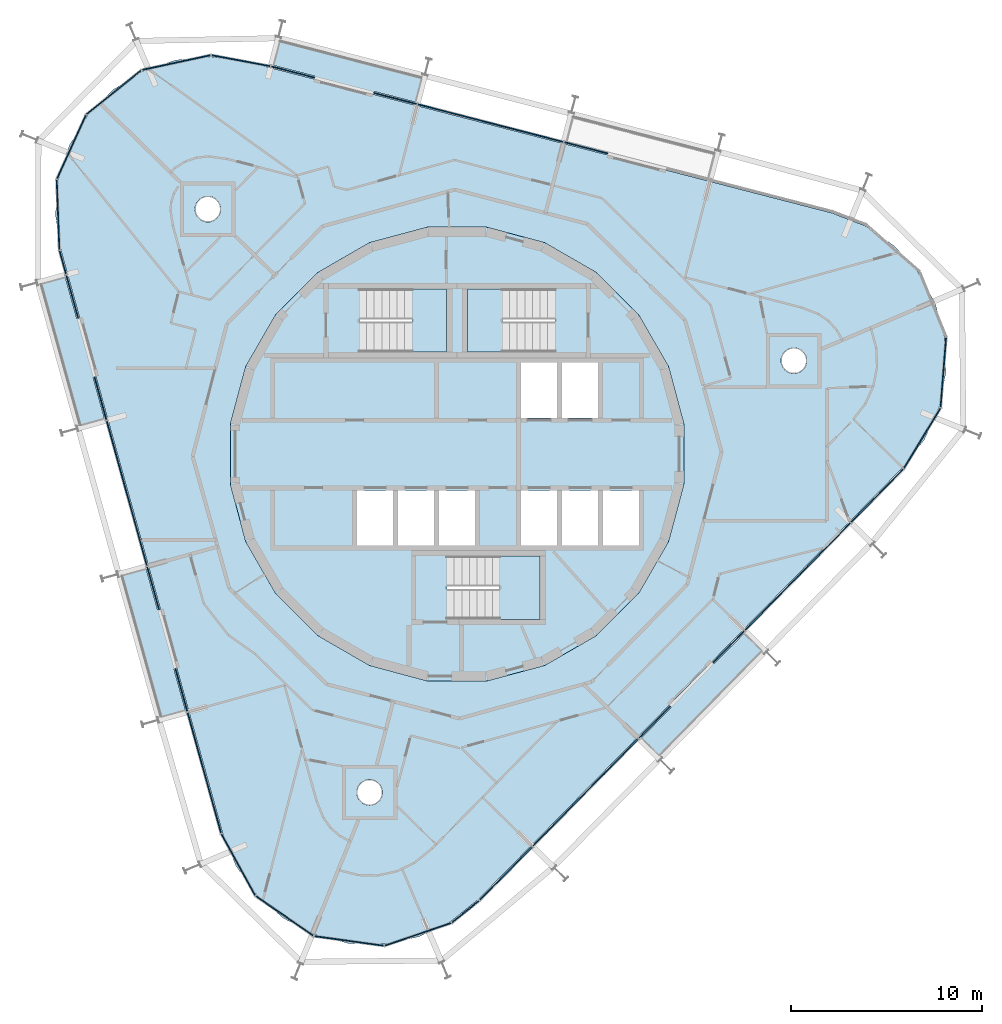
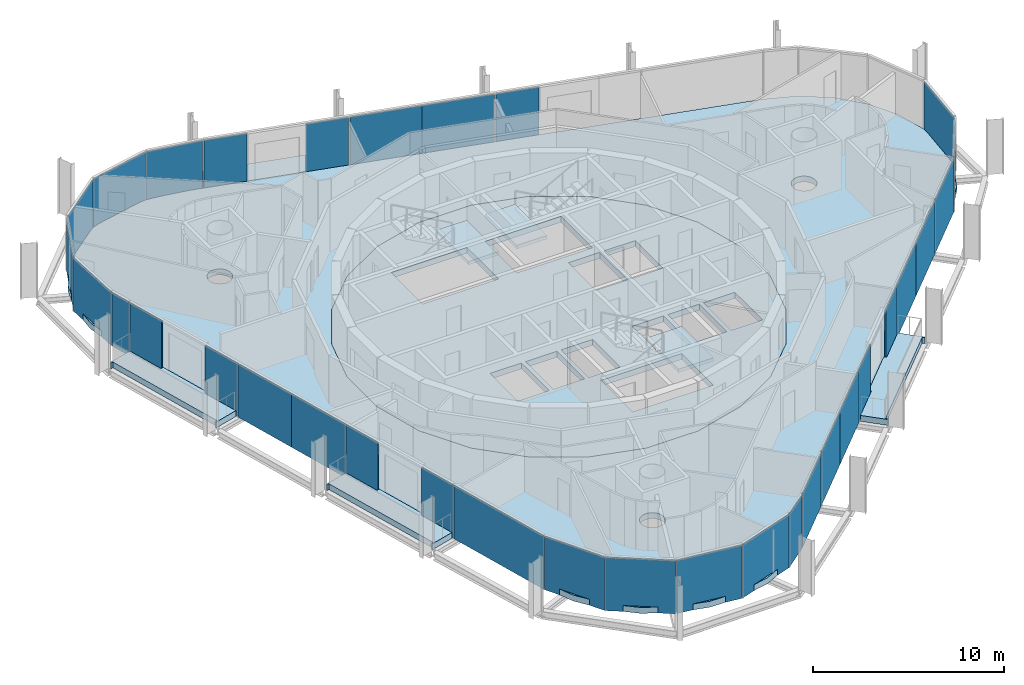
# One storey, part 8 of 16: 33 plates, 9 slabs, 9 elements without a shape of their own.
"""IFC4 building model written with IfcOpenShell, lengths in metres."""

from ifc_helpers import new_model, si_unit, direction, frame, origin, origin_2d, place, context, subcontext, project, spatial, polyline, rectangle, outline, extrude, material, layer, layer_set, type_object, element, aggregate, save


model = new_model("IFC4")

# Units and contexts
model_context = context("Model", 3, precision=1e-05, world=origin(), true_north=direction((0.0, 1.0)))
body_context = subcontext(model_context, "Body", "Model", "MODEL_VIEW")
ifc_project = project(units=[si_unit("LENGTHUNIT", "METRE"), si_unit("AREAUNIT", "SQUARE_METRE"), si_unit("VOLUMEUNIT", "CUBIC_METRE"), si_unit("PLANEANGLEUNIT", "RADIAN"), si_unit("MASSUNIT", "GRAM", prefix="KILO")], contexts=[model_context])

# Site, building, storey
site_placement = place(None, origin())
site = spatial("IfcSite", under=ifc_project, at=site_placement, CompositionType="ELEMENT")
building_placement = place(site_placement, origin())
building = spatial("IfcBuilding", under=site, at=building_placement, Name="Spindle Arch Residences", CompositionType="ELEMENT")
storey_placement = place(building_placement, frame((0.0, 0.0, 301.699951171875)))
storey = spatial("IfcBuildingStorey", under=building, at=storey_placement, Name="L77", CompositionType="ELEMENT", Elevation=301.699951171875)

# Slabs
ifc_material_1 = material(Name="Concrete C40/50", Category="concrete")
ifc_layer_1 = layer(ifc_material_1, 0.3798828125)
ifc_layer_set_1 = layer_set([ifc_layer_1], Name="Balcony slab 380")
slab_type_1 = type_object("IfcSlabType", Name="Balcony slab 380", PredefinedType="FLOOR", material=ifc_layer_set_1)
slab_1_placement = place(storey_placement, frame((0.0, 0.0, -0.3798828125)))
element("IfcSlab", 1, at=slab_1_placement, inside=storey, type_object=slab_type_1, Name="Balcony L77 bay 8", PredefinedType="FLOOR", context=body_context, shape_type="SweptSolid", body=[
    extrude(outline(polyline([(-1.763671875, 19.8896484375), (-1.83642578125, 19.908447265625), (-1.8740234375, 19.763427734375), (-9.265869140625, 21.675048828125), (-9.228271484375, 21.8203125), (-9.30078125, 21.839111328125), (-9.673828125, 20.396484375), (-7.454345703125, 19.822509765625), (-7.494384765625, 19.66748046875), (-4.396484375, 18.8662109375), (-4.3564453125, 19.021240234375), (-2.13671875, 18.447265625), (-1.763671875, 19.8896484375)])), origin(), (0.0, 0.0, 1.0), 0.3798828125),
])
slab_2_placement = place(storey_placement, frame((0.0, 0.0, -0.3798828125)))
element("IfcSlab", 2, at=slab_2_placement, inside=storey, type_object=slab_type_1, Name="Balcony L77 bay 12", PredefinedType="FLOOR", context=body_context, shape_type="SweptSolid", body=[
    extrude(outline(polyline([(-21.998046875, 8.918212890625), (-21.97802734375, 8.845947265625), (-21.83349609375, 8.88623046875), (-19.79296875, 1.52880859375), (-19.9375, 1.488525390625), (-19.91748046875, 1.416259765625), (-18.481689453125, 1.814453125), (-19.094482421875, 4.023681640625), (-18.940185546875, 4.06640625), (-19.79541015625, 7.150146484375), (-19.949462890625, 7.107421875), (-20.562255859375, 9.31640625), (-21.998046875, 8.918212890625)])), origin(), (0.0, 0.0, 1.0), 0.3798828125),
])
slab_3_placement = place(storey_placement, frame((0.0, 0.0, -0.3798828125)))
element("IfcSlab", 3, at=slab_3_placement, inside=storey, type_object=slab_type_1, Name="Balcony L77 bay 14", PredefinedType="FLOOR", context=body_context, shape_type="SweptSolid", body=[
    extrude(outline(polyline([(-17.7568359375, -6.374755859375), (-17.73681640625, -6.447021484375), (-17.59228515625, -6.406982421875), (-15.552001953125, -13.76416015625), (-15.696533203125, -13.804443359375), (-15.676513671875, -13.876708984375), (-14.240478515625, -13.478515625), (-14.853271484375, -11.269287109375), (-14.698974609375, -11.2265625), (-15.55419921875, -8.142822265625), (-15.70849609375, -8.185546875), (-16.321044921875, -5.9765625), (-17.7568359375, -6.374755859375)])), origin(), (0.0, 0.0, 1.0), 0.3798828125),
])
slab_4_placement = place(storey_placement, frame((0.0, 0.0, -0.3798828125)))
element("IfcSlab", 4, at=slab_4_placement, inside=storey, type_object=slab_type_1, Name="Balcony L77 bay 20", PredefinedType="FLOOR", context=body_context, shape_type="SweptSolid", body=[
    extrude(outline(polyline([(10.691162109375, -15.963623046875), (10.743896484375, -15.91015625), (10.63671875, -15.80517578125), (15.98828125, -10.359375), (16.09521484375, -10.464599609375), (16.14794921875, -10.410888671875), (15.085205078125, -9.36669921875), (13.478271484375, -11.001708984375), (13.364013671875, -10.8896484375), (11.121337890625, -13.172119140625), (11.2353515625, -13.2841796875), (9.62841796875, -14.91943359375), (10.691162109375, -15.963623046875)])), origin(), (0.0, 0.0, 1.0), 0.3798828125),
])
ifc_material_2 = material(Name="Concrete C50/60", Category="concrete")
ifc_layer_2 = layer(ifc_material_2, 0.3798828125)
ifc_layer_set_2 = layer_set([ifc_layer_2], Name="Core floor slab 380")
slab_type_2 = type_object("IfcSlabType", Name="Core floor slab 380", PredefinedType="FLOOR", material=ifc_layer_set_2)
slab_5_placement = place(storey_placement, frame((0.0, 0.0, -0.3798828125)))
element("IfcSlab", 5, at=slab_5_placement, inside=storey, type_object=slab_type_2, Name="Core floor L77", PredefinedType="FLOOR", context=body_context, shape_type="SweptSolid", body=[
    extrude(outline(polyline([(1.56640625, -11.897216796875), (4.59228515625, -11.086669921875), (7.30517578125, -9.520263671875), (9.520263671875, -7.30517578125), (11.086669921875, -4.59228515625), (11.897216796875, -1.56640625), (11.897216796875, 1.56640625), (11.086669921875, 4.59228515625), (9.520263671875, 7.30517578125), (7.30517578125, 9.520263671875), (4.59228515625, 11.086669921875), (1.56640625, 11.897216796875), (-1.56640625, 11.897216796875), (-4.59228515625, 11.086669921875), (-7.30517578125, 9.520263671875), (-9.520263671875, 7.30517578125), (-11.086669921875, 4.59228515625), (-11.897216796875, 1.56640625), (-11.897216796875, -1.56640625), (-11.086669921875, -4.59228515625), (-9.520263671875, -7.30517578125), (-7.30517578125, -9.520263671875), (-4.59228515625, -11.086669921875), (-1.56640625, -11.897216796875), (1.56640625, -11.897216796875)]), holes=[polyline([(3.35009765625, 1.89990234375), (5.25, 1.89990234375), (5.25, 4.800048828125), (3.35009765625, 4.800048828125), (3.35009765625, 1.89990234375)]), polyline([(5.5, 1.89990234375), (7.39990234375, 1.89990234375), (7.39990234375, 4.800048828125), (5.5, 4.800048828125), (5.5, 1.89990234375)]), polyline([(-5.25, -4.800048828125), (-3.35009765625, -4.800048828125), (-3.35009765625, -1.89990234375), (-5.25, -1.89990234375), (-5.25, -4.800048828125)]), polyline([(-3.10009765625, -4.800048828125), (-1.199951171875, -4.800048828125), (-1.199951171875, -1.89990234375), (-3.10009765625, -1.89990234375), (-3.10009765625, -4.800048828125)]), polyline([(-0.949951171875, -4.800048828125), (0.949951171875, -4.800048828125), (0.949951171875, -1.89990234375), (-0.949951171875, -1.89990234375), (-0.949951171875, -4.800048828125)]), polyline([(3.35009765625, -4.800048828125), (5.25, -4.800048828125), (5.25, -1.89990234375), (3.35009765625, -1.89990234375), (3.35009765625, -4.800048828125)]), polyline([(5.5, -4.800048828125), (7.39990234375, -4.800048828125), (7.39990234375, -1.89990234375), (5.5, -1.89990234375), (5.5, -4.800048828125)]), polyline([(7.64990234375, -4.800048828125), (9.550048828125, -4.800048828125), (9.550048828125, -1.89990234375), (7.64990234375, -1.89990234375), (7.64990234375, -4.800048828125)]), polyline([(5.1298828125, 8.669921875), (0.550048828125, 8.669921875), (0.550048828125, 5.35009765625), (5.1298828125, 5.35009765625), (5.1298828125, 8.669921875)]), polyline([(-5.1298828125, 5.35009765625), (-0.550048828125, 5.35009765625), (-0.550048828125, 8.669921875), (-5.1298828125, 8.669921875), (-5.1298828125, 5.35009765625)]), polyline([(-0.530029296875, -8.669921875), (4.35009765625, -8.669921875), (4.35009765625, -5.35009765625), (-0.530029296875, -5.35009765625), (-0.530029296875, -8.669921875)])]), origin(), (0.0, 0.0, 1.0), 0.3798828125),
])

# Stair, slab
ifc_material_3 = material(Name="Concrete C50/60", Category="concrete")
stair_type = type_object("IfcStairType", Name="Exit stair 16 risers", PredefinedType="HALF_TURN_STAIR", material=ifc_material_3)
stair_1_placement = place(storey_placement, origin())
stair_1 = element("IfcStair", 6, at=stair_1_placement, inside=storey, type_object=stair_type, Name="L77 Exit stair ST1", PredefinedType="HALF_TURN_STAIR")
ifc_material_4 = material(Name="Concrete C50/60", Category="concrete")
ifc_layer_3 = layer(ifc_material_4, 0.219970703125)
ifc_layer_set_3 = layer_set([ifc_layer_3], Name="Exit stair landing 220")
slab_type_3 = type_object("IfcSlabType", Name="Exit stair landing 220", PredefinedType="LANDING", material=ifc_layer_set_3)
slab_6_placement = place(storey_placement, frame((0.0, 0.0, 1.530029296875)))
slab_6 = element("IfcSlab", 7, at=slab_6_placement, type_object=slab_type_3, Name="ST1 landing 1", PredefinedType="LANDING", context=body_context, shape_type="SweptSolid", body=[
    extrude(outline(polyline([(2.3701171875, 8.669921875), (0.550048828125, 8.669921875), (0.550048828125, 5.35009765625), (2.3701171875, 5.35009765625), (2.3701171875, 8.669921875)])), origin(), (0.0, 0.0, 1.0), 0.219970703125),
])
aggregate(stair_1, [slab_6])

stair_2_placement = place(storey_placement, origin())
stair_2 = element("IfcStair", 8, at=stair_2_placement, inside=storey, type_object=stair_type, Name="L77 Exit stair ST2", PredefinedType="HALF_TURN_STAIR")
slab_7_placement = place(storey_placement, frame((0.0, 0.0, 1.530029296875)))
slab_7 = element("IfcSlab", 9, at=slab_7_placement, type_object=slab_type_3, Name="ST2 landing 1", PredefinedType="LANDING", context=body_context, shape_type="SweptSolid", body=[
    extrude(outline(polyline([(-2.3701171875, 5.35009765625), (-0.550048828125, 5.35009765625), (-0.550048828125, 8.669921875), (-2.3701171875, 8.669921875), (-2.3701171875, 5.35009765625)])), origin(), (0.0, 0.0, 1.0), 0.219970703125),
])
aggregate(stair_2, [slab_7])

stair_3_placement = place(storey_placement, origin())
stair_3 = element("IfcStair", 10, at=stair_3_placement, inside=storey, type_object=stair_type, Name="L77 Exit stair ST3", PredefinedType="HALF_TURN_STAIR")
slab_8_placement = place(storey_placement, frame((0.0, 0.0, 1.530029296875)))
slab_8 = element("IfcSlab", 11, at=slab_8_placement, type_object=slab_type_3, Name="ST3 landing 1", PredefinedType="LANDING", context=body_context, shape_type="SweptSolid", body=[
    extrude(outline(polyline([(2.22998046875, -8.669921875), (4.35009765625, -8.669921875), (4.35009765625, -5.35009765625), (2.22998046875, -5.35009765625), (2.22998046875, -8.669921875)])), origin(), (0.0, 0.0, 1.0), 0.219970703125),
])
aggregate(stair_3, [slab_8])

# Slab
ifc_material_5 = material(Name="Concrete C40/50", Category="concrete")
ifc_layer_4 = layer(ifc_material_5, 0.3798828125)
ifc_layer_set_4 = layer_set([ifc_layer_4], Name="Floor slab 380")
slab_type_4 = type_object("IfcSlabType", Name="Floor slab 380", PredefinedType="FLOOR", material=ifc_layer_set_4)
slab_9_placement = place(storey_placement, frame((0.0, 0.0, -0.3798828125)))
element("IfcSlab", 12, at=slab_9_placement, inside=storey, type_object=slab_type_4, Name="Floor slab L77", PredefinedType="FLOOR", context=body_context, shape_type="SweptSolid", body=[
    extrude(outline(polyline([(-0.330078125, -24.517333984375), (-2.006591796875, -25.317138671875), (-3.822509765625, -25.70849609375), (-5.6796875, -25.6708984375), (-7.477783203125, -25.205810546875), (-9.12060546875, -24.33837890625), (-10.518798828125, -23.11572265625), (-11.597412109375, -21.603515625), (-12.29833984375, -19.88330078125), (-20.782470703125, 10.709228515625), (-21.067626953125, 12.544677734375), (-20.921875, 14.396484375), (-20.35302734375, 16.164794921875), (-19.3916015625, 17.754150390625), (-18.08984375, 19.078857421875), (-16.517333984375, 20.06787109375), (-14.759521484375, 20.66748046875), (-12.910400390625, 20.845458984375), (-11.0703125, 20.59228515625), (19.665771484375, 12.6435546875), (21.397705078125, 11.972900390625), (22.9287109375, 10.920654296875), (24.175537109375, 9.5439453125), (25.0712890625, 7.916748046875), (25.567626953125, 6.126708984375), (25.637939453125, 4.2705078125), (25.2783203125, 2.4482421875), (24.5078125, 0.758056640625), (23.36865234375, -0.708984375), (12.24267578125, -12.03076171875), (1.11669921875, -23.352783203125), (-0.330078125, -24.517333984375)]), holes=[polyline([(7.30517578125, -9.520263671875), (9.520263671875, -7.30517578125), (11.086669921875, -4.59228515625), (11.897216796875, -1.56640625), (11.897216796875, 1.56640625), (11.086669921875, 4.59228515625), (9.520263671875, 7.30517578125), (7.30517578125, 9.520263671875), (4.59228515625, 11.086669921875), (1.56640625, 11.897216796875), (-1.56640625, 11.897216796875), (-4.59228515625, 11.086669921875), (-7.30517578125, 9.520263671875), (-9.520263671875, 7.30517578125), (-11.086669921875, 4.59228515625), (-11.897216796875, 1.56640625), (-11.897216796875, -1.56640625), (-11.086669921875, -4.59228515625), (-9.520263671875, -7.30517578125), (-7.30517578125, -9.520263671875), (-4.59228515625, -11.086669921875), (-1.56640625, -11.897216796875), (1.56640625, -11.897216796875), (4.59228515625, -11.086669921875), (7.30517578125, -9.520263671875)]), polyline([(-4.028076171875, -18.120361328125), (-3.9658203125, -18.003662109375), (-3.92724609375, -17.877197265625), (-3.914306640625, -17.745361328125), (-3.92724609375, -17.61376953125), (-3.9658203125, -17.487060546875), (-4.028076171875, -17.370361328125), (-4.112060546875, -17.26806640625), (-4.21435546875, -17.18408203125), (-4.3310546875, -17.121826171875), (-4.45751953125, -17.08349609375), (-4.58935546875, -17.0703125), (-4.720947265625, -17.08349609375), (-4.84765625, -17.121826171875), (-4.96435546875, -17.18408203125), (-5.066650390625, -17.26806640625), (-5.150390625, -17.370361328125), (-5.212890625, -17.487060546875), (-5.251220703125, -17.61376953125), (-5.264404296875, -17.745361328125), (-5.251220703125, -17.877197265625), (-5.212890625, -18.003662109375), (-5.150390625, -18.120361328125), (-5.066650390625, -18.22265625), (-4.96435546875, -18.306640625), (-4.84765625, -18.368896484375), (-4.720947265625, -18.407470703125), (-4.58935546875, -18.42041015625), (-4.45751953125, -18.407470703125), (-4.3310546875, -18.368896484375), (-4.21435546875, -18.306640625), (-4.112060546875, -18.22265625), (-4.028076171875, -18.120361328125)]), polyline([(-12.595947265625, 12.369873046875), (-12.51220703125, 12.47216796875), (-12.44970703125, 12.5888671875), (-12.411376953125, 12.71533203125), (-12.398193359375, 12.84716796875), (-12.411376953125, 12.978759765625), (-12.44970703125, 13.10546875), (-12.51220703125, 13.22216796875), (-12.595947265625, 13.324462890625), (-12.6982421875, 13.408203125), (-12.81494140625, 13.470703125), (-12.941650390625, 13.509033203125), (-13.0732421875, 13.522216796875), (-13.205078125, 13.509033203125), (-13.33154296875, 13.470703125), (-13.4482421875, 13.408203125), (-13.550537109375, 13.324462890625), (-13.634521484375, 13.22216796875), (-13.697021484375, 13.10546875), (-13.7353515625, 12.978759765625), (-13.748291015625, 12.84716796875), (-13.7353515625, 12.71533203125), (-13.697021484375, 12.5888671875), (-13.634521484375, 12.47216796875), (-13.550537109375, 12.369873046875), (-13.4482421875, 12.285888671875), (-13.33154296875, 12.223388671875), (-13.205078125, 12.18505859375), (-13.0732421875, 12.172119140625), (-12.941650390625, 12.18505859375), (-12.81494140625, 12.223388671875), (-12.6982421875, 12.285888671875), (-12.595947265625, 12.369873046875)]), polyline([(18.139892578125, 4.4208984375), (18.223876953125, 4.523193359375), (18.2861328125, 4.639892578125), (18.32470703125, 4.7666015625), (18.337646484375, 4.898193359375), (18.32470703125, 5.030029296875), (18.2861328125, 5.156494140625), (18.223876953125, 5.273193359375), (18.139892578125, 5.37548828125), (18.03759765625, 5.45947265625), (17.9208984375, 5.52197265625), (17.794189453125, 5.560302734375), (17.66259765625, 5.5732421875), (17.531005859375, 5.560302734375), (17.404296875, 5.52197265625), (17.28759765625, 5.45947265625), (17.185302734375, 5.37548828125), (17.101318359375, 5.273193359375), (17.0390625, 5.156494140625), (17.00048828125, 5.030029296875), (16.987548828125, 4.898193359375), (17.00048828125, 4.7666015625), (17.0390625, 4.639892578125), (17.101318359375, 4.523193359375), (17.185302734375, 4.4208984375), (17.28759765625, 4.337158203125), (17.404296875, 4.274658203125), (17.531005859375, 4.236328125), (17.66259765625, 4.223388671875), (17.794189453125, 4.236328125), (17.9208984375, 4.274658203125), (18.03759765625, 4.337158203125), (18.139892578125, 4.4208984375)])]), origin(), (0.0, 0.0, 1.0), 0.3798828125),
])

# Curtain wall, plates
ifc_material_6 = material(Name="Aluminium bronze unitised frame with tinted glass", Category="aluminium")
ifc_layer_5 = layer(ifc_material_6, 0.159912109375)
ifc_layer_set_5 = layer_set([ifc_layer_5], Name="CW-D corner wall on the fillet arcs")
curtain_wall_type_1 = type_object("IfcCurtainWallType", Name="CW-D corner wall on the fillet arcs", PredefinedType="NOTDEFINED", material=ifc_layer_set_5)
curtain_wall_1_placement = place(storey_placement, origin())
curtain_wall_1 = element("IfcCurtainWall", 13, at=curtain_wall_1_placement, inside=storey, type_object=curtain_wall_type_1, Name="CW-D L77 run 1", PredefinedType="NOTDEFINED")
ifc_material_7 = material(Name="Tinted double glazing over aluminium faced non-combustible spandrel zone (K0)", Category="aluminium")
ifc_layer_6 = layer(ifc_material_7, 0.06005859375)
ifc_layer_set_6 = layer_set([ifc_layer_6], Name="Unitised glass panel with E 60 spandrel zone")
plate_type = type_object("IfcPlateType", Name="Unitised glass panel with E 60 spandrel zone", PredefinedType="CURTAIN_PANEL", material=ifc_layer_set_6)
plate_1_placement = place(storey_placement, frame((22.033935546875, -2.18115234375, -0.3798828125), z_axis=(0.0, 0.0, 1.0), x_axis=(0.7009092643, 0.713250449154, 0.0)))
plate_1 = element("IfcPlate", 14, at=plate_1_placement, type_object=plate_type, Name="CW-D unit 00", PredefinedType="CURTAIN_PANEL", context=body_context, shape_type="SweptSolid", body=[
    extrude(rectangle(XDim=3.910888671875, YDim=0.06005859375, at=origin_2d()), origin(), (0.0, 0.0, 1.0), 3.3798828125),
])
plate_2_placement = place(storey_placement, frame((24.39013671875, 0.829345703125, -0.3798828125), z_axis=(0.0, 0.0, 1.0), x_axis=(0.517529288252, 0.855665492936, 0.0)))
plate_2 = element("IfcPlate", 15, at=plate_2_placement, type_object=plate_type, Name="CW-D unit 01", PredefinedType="CURTAIN_PANEL", context=body_context, shape_type="SweptSolid", body=[
    extrude(rectangle(XDim=3.666748046875, YDim=0.06005859375, at=origin_2d()), origin(), (0.0, 0.0, 1.0), 3.3798828125),
])
plate_3_placement = place(storey_placement, frame((25.50048828125, 4.281494140625, -0.3798828125), z_axis=(0.0, 0.0, 1.0), x_axis=(0.078459091935, 0.996917334032, 0.0)))
plate_3 = element("IfcPlate", 16, at=plate_3_placement, type_object=plate_type, Name="CW-D unit 02", PredefinedType="CURTAIN_PANEL", context=body_context, shape_type="SweptSolid", body=[
    extrude(rectangle(XDim=3.666748046875, YDim=0.06005859375, at=origin_2d()), origin(), (0.0, 0.0, 1.0), 3.3798828125),
])
aggregate(curtain_wall_1, [plate_1, plate_2, plate_3])

ifc_material_8 = material(Name="Aluminium bronze unitised frame with tinted glass", Category="aluminium")
ifc_layer_7 = layer(ifc_material_8, 0.159912109375)
ifc_layer_set_7 = layer_set([ifc_layer_7], Name="CW-C typical residential unitised wall")
curtain_wall_type_2 = type_object("IfcCurtainWallType", Name="CW-C typical residential unitised wall", PredefinedType="NOTDEFINED", material=ifc_layer_set_7)
curtain_wall_2_placement = place(storey_placement, origin())
curtain_wall_2 = element("IfcCurtainWall", 17, at=curtain_wall_2_placement, inside=storey, type_object=curtain_wall_type_2, Name="CW-C L77 run 2", PredefinedType="NOTDEFINED")
plate_4_placement = place(storey_placement, frame((6.7587890625, 16.06396484375, -0.3798828125), z_axis=(0.0, 0.0, 1.0), x_axis=(-0.968147640378, 0.250380004054, 0.0)))
plate_4 = element("IfcPlate", 18, at=plate_4_placement, type_object=plate_type, Name="CW-C unit 05R", PredefinedType="CURTAIN_PANEL", context=body_context, shape_type="SweptSolid", body=[
    extrude(rectangle(XDim=2.337646484375, YDim=0.06005859375, at=origin_2d()), origin(), (0.0, 0.0, 1.0), 3.3798828125),
])
plate_5_placement = place(storey_placement, frame((3.6630859375, 16.86474609375, -0.3798828125), z_axis=(0.0, 0.0, 1.0), x_axis=(-0.968147640378, 0.250380004054, 0.0)))
plate_5 = element("IfcPlate", 19, at=plate_5_placement, type_object=plate_type, Name="CW-C unit 06A", PredefinedType="CURTAIN_PANEL", context=body_context, shape_type="SweptSolid", body=[
    extrude(rectangle(XDim=3.9375, YDim=0.06005859375, at=origin_2d()), origin(), (0.0, 0.0, 1.0), 3.3798828125),
])
plate_6_placement = place(storey_placement, frame((-0.149169921875, 17.8505859375, -0.3798828125), z_axis=(0.0, 0.0, 1.0), x_axis=(-0.968147640378, 0.250380004054, 0.0)))
plate_6 = element("IfcPlate", 20, at=plate_6_placement, type_object=plate_type, Name="CW-C unit 06B", PredefinedType="CURTAIN_PANEL", context=body_context, shape_type="SweptSolid", body=[
    extrude(rectangle(XDim=3.9375, YDim=0.06005859375, at=origin_2d()), origin(), (0.0, 0.0, 1.0), 3.3798828125),
])
plate_7_placement = place(storey_placement, frame((-3.244873046875, 18.651123046875, -0.3798828125), z_axis=(0.0, 0.0, 1.0), x_axis=(-0.968147640378, 0.250380004054, 0.0)))
plate_7 = element("IfcPlate", 21, at=plate_7_placement, type_object=plate_type, Name="CW-C unit 07L", PredefinedType="CURTAIN_PANEL", context=body_context, shape_type="SweptSolid", body=[
    extrude(rectangle(XDim=2.337646484375, YDim=0.06005859375, at=origin_2d()), origin(), (0.0, 0.0, 1.0), 3.3798828125),
])
plate_8_placement = place(storey_placement, frame((-8.60595703125, 20.03759765625, -0.3798828125), z_axis=(0.0, 0.0, 1.0), x_axis=(-0.968147640378, 0.250380004054, 0.0)))
plate_8 = element("IfcPlate", 22, at=plate_8_placement, type_object=plate_type, Name="CW-C unit 07R", PredefinedType="CURTAIN_PANEL", context=body_context, shape_type="SweptSolid", body=[
    extrude(rectangle(XDim=2.337646484375, YDim=0.06005859375, at=origin_2d()), origin(), (0.0, 0.0, 1.0), 3.3798828125),
])
aggregate(curtain_wall_2, [plate_4, plate_5, plate_6, plate_7, plate_8])

curtain_wall_3_placement = place(storey_placement, origin())
curtain_wall_3 = element("IfcCurtainWall", 23, at=curtain_wall_3_placement, inside=storey, type_object=curtain_wall_type_1, Name="CW-D L77 run 3", PredefinedType="NOTDEFINED")
plate_9_placement = place(storey_placement, frame((-11.337646484375, 20.631591796875, -0.3798828125), z_axis=(0.0, 0.0, 1.0), x_axis=(-0.98295670176, 0.183837217301, 0.0)))
plate_9 = element("IfcPlate", 24, at=plate_9_placement, type_object=plate_type, Name="CW-D unit 00", PredefinedType="CURTAIN_PANEL", context=body_context, shape_type="SweptSolid", body=[
    extrude(rectangle(XDim=3.13671875, YDim=0.06005859375, at=origin_2d()), origin(), (0.0, 0.0, 1.0), 3.3798828125),
])
plate_10_placement = place(storey_placement, frame((-14.73046875, 20.53271484375, -0.3798828125), z_axis=(0.0, 0.0, 1.0), x_axis=(-0.977538671364, -0.210756129184, 0.0)))
plate_10 = element("IfcPlate", 25, at=plate_10_placement, type_object=plate_type, Name="CW-D unit 01", PredefinedType="CURTAIN_PANEL", context=body_context, shape_type="SweptSolid", body=[
    extrude(rectangle(XDim=3.666748046875, YDim=0.06005859375, at=origin_2d()), origin(), (0.0, 0.0, 1.0), 3.3798828125),
])
plate_11_placement = place(storey_placement, frame((-18.00341796875, 18.9716796875, -0.3798828125), z_axis=(0.0, 0.0, 1.0), x_axis=(-0.778973288411, -0.627057107401, 0.0)))
plate_11 = element("IfcPlate", 26, at=plate_11_placement, type_object=plate_type, Name="CW-D unit 02", PredefinedType="CURTAIN_PANEL", context=body_context, shape_type="SweptSolid", body=[
    extrude(rectangle(XDim=3.666748046875, YDim=0.06005859375, at=origin_2d()), origin(), (0.0, 0.0, 1.0), 3.3798828125),
])
plate_12_placement = place(storey_placement, frame((-20.2275390625, 16.107421875, -0.3798828125), z_axis=(0.0, 0.0, 1.0), x_axis=(-0.414693245896, -0.9099612694, 0.0)))
plate_12 = element("IfcPlate", 27, at=plate_12_placement, type_object=plate_type, Name="CW-D unit 03", PredefinedType="CURTAIN_PANEL", context=body_context, shape_type="SweptSolid", body=[
    extrude(rectangle(XDim=3.666748046875, YDim=0.06005859375, at=origin_2d()), origin(), (0.0, 0.0, 1.0), 3.3798828125),
])
plate_13_placement = place(storey_placement, frame((-20.929931640625, 12.5498046875, -0.3798828125), z_axis=(0.0, 0.0, 1.0), x_axis=(0.037806455536, -0.999285080405, 0.0)))
plate_13 = element("IfcPlate", 28, at=plate_13_placement, type_object=plate_type, Name="CW-D unit 04", PredefinedType="CURTAIN_PANEL", context=body_context, shape_type="SweptSolid", body=[
    extrude(rectangle(XDim=3.666748046875, YDim=0.06005859375, at=origin_2d()), origin(), (0.0, 0.0, 1.0), 3.3798828125),
])
plate_14_placement = place(storey_placement, frame((-20.682373046875, 10.049072265625, -0.3798828125), z_axis=(0.0, 0.0, 1.0), x_axis=(0.267238376078, -0.963630453209, 0.0)))
plate_14 = element("IfcPlate", 29, at=plate_14_placement, type_object=plate_type, Name="CW-D unit 05", PredefinedType="CURTAIN_PANEL", context=body_context, shape_type="SweptSolid", body=[
    extrude(rectangle(XDim=1.265869140625, YDim=0.06005859375, at=origin_2d()), origin(), (0.0, 0.0, 1.0), 3.3798828125),
])
aggregate(curtain_wall_3, [plate_9, plate_10, plate_11, plate_12, plate_13, plate_14])

curtain_wall_4_placement = place(storey_placement, origin())
curtain_wall_4 = element("IfcCurtainWall", 30, at=curtain_wall_4_placement, inside=storey, type_object=curtain_wall_type_2, Name="CW-C L77 run 4", PredefinedType="NOTDEFINED")
plate_15_placement = place(storey_placement, frame((-20.184814453125, 8.2548828125, -0.3798828125), z_axis=(0.0, 0.0, 1.0), x_axis=(0.267238376078, -0.963630453209, 0.0)))
plate_15 = element("IfcPlate", 31, at=plate_15_placement, type_object=plate_type, Name="CW-C unit 11L", PredefinedType="CURTAIN_PANEL", context=body_context, shape_type="SweptSolid", body=[
    extrude(rectangle(XDim=2.337646484375, YDim=0.06005859375, at=origin_2d()), origin(), (0.0, 0.0, 1.0), 3.3798828125),
])
plate_16_placement = place(storey_placement, frame((-18.704833984375, 2.9189453125, -0.3798828125), z_axis=(0.0, 0.0, 1.0), x_axis=(0.267238376078, -0.963630453209, 0.0)))
plate_16 = element("IfcPlate", 32, at=plate_16_placement, type_object=plate_type, Name="CW-C unit 11R", PredefinedType="CURTAIN_PANEL", context=body_context, shape_type="SweptSolid", body=[
    extrude(rectangle(XDim=2.337646484375, YDim=0.06005859375, at=origin_2d()), origin(), (0.0, 0.0, 1.0), 3.3798828125),
])
plate_17_placement = place(storey_placement, frame((-17.850341796875, -0.162353515625, -0.3798828125), z_axis=(0.0, 0.0, 1.0), x_axis=(0.267238376078, -0.963630453209, 0.0)))
plate_17 = element("IfcPlate", 33, at=plate_17_placement, type_object=plate_type, Name="CW-C unit 12A", PredefinedType="CURTAIN_PANEL", context=body_context, shape_type="SweptSolid", body=[
    extrude(rectangle(XDim=3.9375, YDim=0.06005859375, at=origin_2d()), origin(), (0.0, 0.0, 1.0), 3.3798828125),
])
plate_18_placement = place(storey_placement, frame((-16.798095703125, -3.956787109375, -0.3798828125), z_axis=(0.0, 0.0, 1.0), x_axis=(0.267238376078, -0.963630453209, 0.0)))
plate_18 = element("IfcPlate", 34, at=plate_18_placement, type_object=plate_type, Name="CW-C unit 12B", PredefinedType="CURTAIN_PANEL", context=body_context, shape_type="SweptSolid", body=[
    extrude(rectangle(XDim=3.9375, YDim=0.06005859375, at=origin_2d()), origin(), (0.0, 0.0, 1.0), 3.3798828125),
])
plate_19_placement = place(storey_placement, frame((-15.943603515625, -7.0380859375, -0.3798828125), z_axis=(0.0, 0.0, 1.0), x_axis=(0.267238376078, -0.963630453209, 0.0)))
plate_19 = element("IfcPlate", 35, at=plate_19_placement, type_object=plate_type, Name="CW-C unit 13L", PredefinedType="CURTAIN_PANEL", context=body_context, shape_type="SweptSolid", body=[
    extrude(rectangle(XDim=2.337646484375, YDim=0.06005859375, at=origin_2d()), origin(), (0.0, 0.0, 1.0), 3.3798828125),
])
plate_20_placement = place(storey_placement, frame((-14.4638671875, -12.374267578125, -0.3798828125), z_axis=(0.0, 0.0, 1.0), x_axis=(0.267238376078, -0.963630453209, 0.0)))
plate_20 = element("IfcPlate", 36, at=plate_20_placement, type_object=plate_type, Name="CW-C unit 13R", PredefinedType="CURTAIN_PANEL", context=body_context, shape_type="SweptSolid", body=[
    extrude(rectangle(XDim=2.337646484375, YDim=0.06005859375, at=origin_2d()), origin(), (0.0, 0.0, 1.0), 3.3798828125),
])
aggregate(curtain_wall_4, [plate_15, plate_16, plate_17, plate_18, plate_19, plate_20])

curtain_wall_5_placement = place(storey_placement, origin())
curtain_wall_5 = element("IfcCurtainWall", 37, at=curtain_wall_5_placement, inside=storey, type_object=curtain_wall_type_1, Name="CW-D L77 run 5", PredefinedType="NOTDEFINED")
plate_21_placement = place(storey_placement, frame((-13.259521484375, -16.717041015625, -0.3798828125), z_axis=(0.0, 0.0, 1.0), x_axis=(0.267238376078, -0.963630453209, 0.0)))
plate_21 = element("IfcPlate", 38, at=plate_21_placement, type_object=plate_type, Name="CW-D unit 00", PredefinedType="CURTAIN_PANEL", context=body_context, shape_type="SweptSolid", body=[
    extrude(rectangle(XDim=6.555908203125, YDim=0.06005859375, at=origin_2d()), origin(), (0.0, 0.0, 1.0), 3.3798828125),
])
plate_22_placement = place(storey_placement, frame((-11.476806640625, -21.537109375, -0.3798828125), z_axis=(0.0, 0.0, 1.0), x_axis=(0.482263404731, -0.876026260142, 0.0)))
plate_22 = element("IfcPlate", 39, at=plate_22_placement, type_object=plate_type, Name="CW-D unit 01", PredefinedType="CURTAIN_PANEL", context=body_context, shape_type="SweptSolid", body=[
    extrude(rectangle(XDim=3.666748046875, YDim=0.06005859375, at=origin_2d()), origin(), (0.0, 0.0, 1.0), 3.3798828125),
])
plate_23_placement = place(storey_placement, frame((-9.04248046875, -24.224853515625, -0.3798828125), z_axis=(0.0, 0.0, 1.0), x_axis=(0.824126188573, -0.566406236997, 0.0)))
plate_23 = element("IfcPlate", 40, at=plate_23_placement, type_object=plate_type, Name="CW-D unit 02", PredefinedType="CURTAIN_PANEL", context=body_context, shape_type="SweptSolid", body=[
    extrude(rectangle(XDim=3.666748046875, YDim=0.06005859375, at=origin_2d()), origin(), (0.0, 0.0, 1.0), 3.3798828125),
])
plate_24_placement = place(storey_placement, frame((-5.660888671875, -25.5341796875, -0.3798828125), z_axis=(0.0, 0.0, 1.0), x_axis=(0.99066871764, -0.136291936259, 0.0)))
plate_24 = element("IfcPlate", 41, at=plate_24_placement, type_object=plate_type, Name="CW-D unit 03", PredefinedType="CURTAIN_PANEL", context=body_context, shape_type="SweptSolid", body=[
    extrude(rectangle(XDim=3.666748046875, YDim=0.06005859375, at=origin_2d()), origin(), (0.0, 0.0, 1.0), 3.3798828125),
])
plate_25_placement = place(storey_placement, frame((-2.05126953125, -25.186767578125, -0.3798828125), z_axis=(0.0, 0.0, 1.0), x_axis=(0.946461612616, 0.322816381002, 0.0)))
plate_25 = element("IfcPlate", 42, at=plate_25_placement, type_object=plate_type, Name="CW-D unit 04", PredefinedType="CURTAIN_PANEL", context=body_context, shape_type="SweptSolid", body=[
    extrude(rectangle(XDim=3.666748046875, YDim=0.06005859375, at=origin_2d()), origin(), (0.0, 0.0, 1.0), 3.3798828125),
])
plate_26_placement = place(storey_placement, frame((0.443115234375, -23.9970703125, -0.3798828125), z_axis=(0.0, 0.0, 1.0), x_axis=(0.778973292636, 0.627057102153, 0.0)))
plate_26 = element("IfcPlate", 43, at=plate_26_placement, type_object=plate_type, Name="CW-D unit 05", PredefinedType="CURTAIN_PANEL", context=body_context, shape_type="SweptSolid", body=[
    extrude(rectangle(XDim=1.816162109375, YDim=0.06005859375, at=origin_2d()), origin(), (0.0, 0.0, 1.0), 3.3798828125),
])
plate_27_placement = place(storey_placement, frame((2.5654296875, -21.99267578125, -0.3798828125), z_axis=(0.0, 0.0, 1.0), x_axis=(0.7009092643, 0.713250449154, 0.0)))
plate_27 = element("IfcPlate", 44, at=plate_27_placement, type_object=plate_type, Name="CW-D unit 06", PredefinedType="CURTAIN_PANEL", context=body_context, shape_type="SweptSolid", body=[
    extrude(rectangle(XDim=3.910888671875, YDim=0.06005859375, at=origin_2d()), origin(), (0.0, 0.0, 1.0), 3.3798828125),
])
aggregate(curtain_wall_5, [plate_21, plate_22, plate_23, plate_24, plate_25, plate_26, plate_27])

curtain_wall_6_placement = place(storey_placement, origin())
curtain_wall_6 = element("IfcCurtainWall", 45, at=curtain_wall_6_placement, inside=storey, type_object=curtain_wall_type_2, Name="CW-C L77 run 6", PredefinedType="NOTDEFINED")
plate_28_placement = place(storey_placement, frame((5.35791015625, -19.15087890625, -0.3798828125), z_axis=(0.0, 0.0, 1.0), x_axis=(0.7009092643, 0.713250449154, 0.0)))
plate_28 = element("IfcPlate", 46, at=plate_28_placement, type_object=plate_type, Name="CW-C unit 18A", PredefinedType="CURTAIN_PANEL", context=body_context, shape_type="SweptSolid", body=[
    extrude(rectangle(XDim=3.9375, YDim=0.06005859375, at=origin_2d()), origin(), (0.0, 0.0, 1.0), 3.3798828125),
])
plate_29_placement = place(storey_placement, frame((8.117919921875, -16.34228515625, -0.3798828125), z_axis=(0.0, 0.0, 1.0), x_axis=(0.7009092643, 0.713250449154, 0.0)))
plate_29 = element("IfcPlate", 47, at=plate_29_placement, type_object=plate_type, Name="CW-C unit 18B", PredefinedType="CURTAIN_PANEL", context=body_context, shape_type="SweptSolid", body=[
    extrude(rectangle(XDim=3.9375, YDim=0.06005859375, at=origin_2d()), origin(), (0.0, 0.0, 1.0), 3.3798828125),
])
plate_30_placement = place(storey_placement, frame((10.359130859375, -14.061767578125, -0.3798828125), z_axis=(0.0, 0.0, 1.0), x_axis=(0.7009092643, 0.713250449154, 0.0)))
plate_30 = element("IfcPlate", 48, at=plate_30_placement, type_object=plate_type, Name="CW-C unit 19L", PredefinedType="CURTAIN_PANEL", context=body_context, shape_type="SweptSolid", body=[
    extrude(rectangle(XDim=2.337646484375, YDim=0.06005859375, at=origin_2d()), origin(), (0.0, 0.0, 1.0), 3.3798828125),
])
plate_31_placement = place(storey_placement, frame((14.240478515625, -10.112060546875, -0.3798828125), z_axis=(0.0, 0.0, 1.0), x_axis=(0.7009092643, 0.713250449154, 0.0)))
plate_31 = element("IfcPlate", 49, at=plate_31_placement, type_object=plate_type, Name="CW-C unit 19R", PredefinedType="CURTAIN_PANEL", context=body_context, shape_type="SweptSolid", body=[
    extrude(rectangle(XDim=2.337646484375, YDim=0.06005859375, at=origin_2d()), origin(), (0.0, 0.0, 1.0), 3.3798828125),
])
plate_32_placement = place(storey_placement, frame((16.481689453125, -7.83154296875, -0.3798828125), z_axis=(0.0, 0.0, 1.0), x_axis=(0.7009092643, 0.713250449154, 0.0)))
plate_32 = element("IfcPlate", 50, at=plate_32_placement, type_object=plate_type, Name="CW-C unit 00A", PredefinedType="CURTAIN_PANEL", context=body_context, shape_type="SweptSolid", body=[
    extrude(rectangle(XDim=3.9375, YDim=0.06005859375, at=origin_2d()), origin(), (0.0, 0.0, 1.0), 3.3798828125),
])
plate_33_placement = place(storey_placement, frame((19.241455078125, -5.02294921875, -0.3798828125), z_axis=(0.0, 0.0, 1.0), x_axis=(0.7009092643, 0.713250449154, 0.0)))
plate_33 = element("IfcPlate", 51, at=plate_33_placement, type_object=plate_type, Name="CW-C unit 00B", PredefinedType="CURTAIN_PANEL", context=body_context, shape_type="SweptSolid", body=[
    extrude(rectangle(XDim=3.9375, YDim=0.06005859375, at=origin_2d()), origin(), (0.0, 0.0, 1.0), 3.3798828125),
])
aggregate(curtain_wall_6, [plate_28, plate_29, plate_30, plate_31, plate_32, plate_33])

save(model, "model.ifc")
